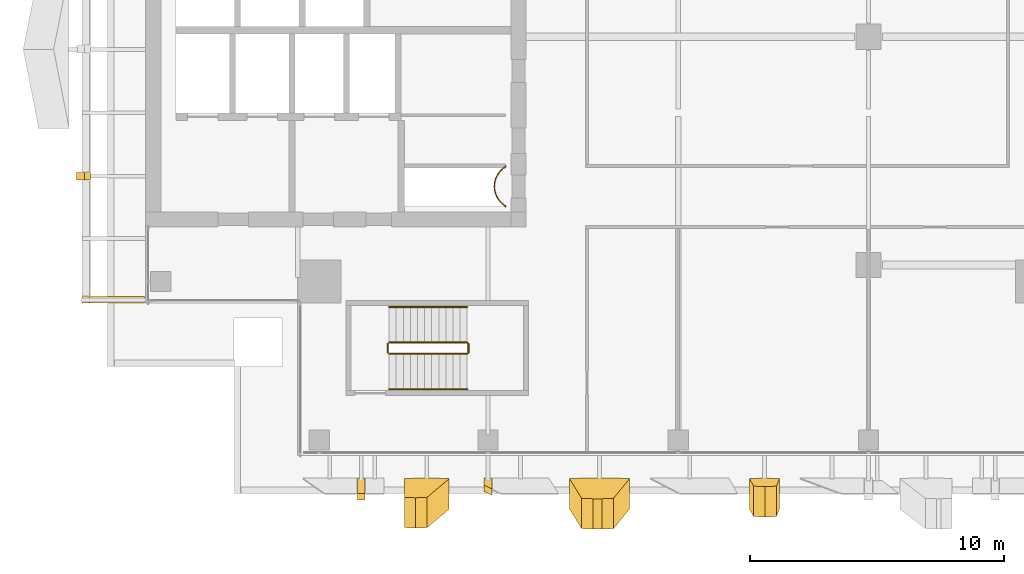
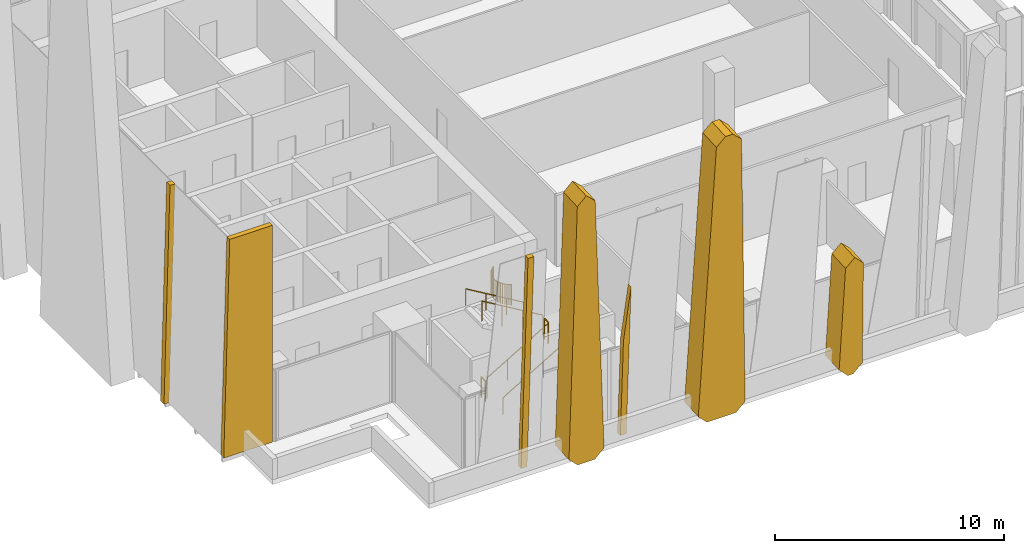
# One storey, part 29 of 32: 7 coverings, 7 railings.
"""IFC4 building model written with IfcOpenShell, lengths in metres."""

import ifcopenshell
import ifcopenshell.guid

model = None  # the IFC model being written
_history = None  # IfcOwnerHistory: only IFC2X3 demands one
_inside = {}  # id of a spatial element -> (the spatial element, [elements in it])
_under = {}  # id of a project, library or spatial element -> (it, [spatial elements below it])
_declared = {}  # id of a project -> (the project, [libraries it declares])
_typed = {}  # id of a type object -> (the type object, [elements of that type])
_made_of = {}  # id of a material, layer set ... -> (it, [elements and type objects made of it])


def new_model(schema):
    """Start an empty IFC model of exactly this schema.

    Asked for "IFC4X3", IfcOpenShell would pick the latest addendum, in which some entities
    have other attributes; the version numbers below select the first issue.
    IFC2X3 requires an IfcOwnerHistory on every rooted entity: one is made here for all.
    """
    global model, _history
    if schema == "IFC4X3":
        model = ifcopenshell.file(schema_version=(4, 3, 0, 0))
    else:
        model = ifcopenshell.file(schema=schema)
    _inside.clear()
    _under.clear()
    _declared.clear()
    _typed.clear()
    _made_of.clear()
    _history = None
    if model.schema == "IFC2X3":
        org = make("IfcOrganization", Name="unknown")
        user = make(
            "IfcPersonAndOrganization",
            ThePerson=make("IfcPerson", FamilyName="unknown"),
            TheOrganization=org,
        )
        app = make(
            "IfcApplication",
            ApplicationDeveloper=org,
            Version="unknown",
            ApplicationFullName="unknown",
            ApplicationIdentifier="unknown",
        )
        _history = make(
            "IfcOwnerHistory",
            OwningUser=user,
            OwningApplication=app,
            ChangeAction="ADDED",
            CreationDate=0,
        )
    return model


def make(cls, **values):
    """One entity of the class cls with the attributes given. An attribute that is None is left unset."""
    return model.create_entity(
        cls, **{name: value for name, value in values.items() if value is not None}
    )


def rooted(cls, **values):
    """An entity with a GlobalId (a new one), such as an element, a storey or a relation."""
    return make(cls, GlobalId=ifcopenshell.guid.new(), OwnerHistory=_history, **values)


def si_unit(unit_type, name, prefix=None):
    """IfcSIUnit, for example si_unit("LENGTHUNIT", "METRE", prefix="MILLI")."""
    return make("IfcSIUnit", UnitType=unit_type, Prefix=prefix, Name=name)


def assignment(units):
    """IfcUnitAssignment: the units of a project."""
    return None if units is None else make("IfcUnitAssignment", Units=units)


def point(xyz):
    """IfcCartesianPoint."""
    return None if xyz is None else make("IfcCartesianPoint", Coordinates=xyz)


def direction(xyz):
    """IfcDirection."""
    return None if xyz is None else make("IfcDirection", DirectionRatios=xyz)


def frame(location, z_axis=None, x_axis=None):
    """IfcAxis2Placement3D, a coordinate frame: its origin and axes. An axis left out is left unset."""
    return make(
        "IfcAxis2Placement3D",
        Location=point(location),
        Axis=direction(z_axis),
        RefDirection=direction(x_axis),
    )


def frame_2d(location, x_axis=None):
    """IfcAxis2Placement2D, a coordinate frame in the plane: its origin and x axis."""
    return make(
        "IfcAxis2Placement2D", Location=point(location), RefDirection=direction(x_axis)
    )


def origin():
    """The frame at (0, 0, 0) with its axes left unset."""
    return frame((0.0, 0.0, 0.0))


def origin_2d():
    """The frame at (0, 0) in the plane with its x axis left unset."""
    return frame_2d((0.0, 0.0))


def place(relative_to, where):
    """IfcLocalPlacement: puts the frame where relative to a parent placement (None: the world)."""
    return make(
        "IfcLocalPlacement", PlacementRelTo=relative_to, RelativePlacement=where
    )


def context(
    kind, dimensions, precision=None, world=None, true_north=None, identifier=None
):
    """IfcGeometricRepresentationContext, for example the 3D "Model" context."""
    return make(
        "IfcGeometricRepresentationContext",
        ContextIdentifier=identifier,
        ContextType=kind,
        CoordinateSpaceDimension=dimensions,
        Precision=precision,
        WorldCoordinateSystem=world,
        TrueNorth=true_north,
    )


def subcontext(parent, identifier, kind, view, scale=None):
    """IfcGeometricRepresentationSubContext, for example "Body" below "Model"."""
    return make(
        "IfcGeometricRepresentationSubContext",
        ContextIdentifier=identifier,
        ContextType=kind,
        ParentContext=parent,
        TargetScale=scale,
        TargetView=view,
    )


def project(units=None, contexts=None):
    """IfcProject with its units and contexts."""
    return rooted(
        "IfcProject",
        Name="project",
        RepresentationContexts=contexts,
        UnitsInContext=assignment(units),
    )


def spatial(cls, under=None, at=None, **own):
    """A site, building, storey or space (cls), placed at a placement, below another one or the project."""
    s = rooted(cls, ObjectPlacement=at, **own)
    if under is not None:
        _under.setdefault(under.id(), (under, []))[1].append(s)
    return s


def polyline(points):
    """IfcPolyline through the points."""
    return make("IfcPolyline", Points=[point(p) for p in points])


def profile(cls, at=None, kind="AREA", **sizes):
    """A parametric profile (cls). Its sizes go by their IFC names, for example OverallWidth=200.0."""
    return make(cls, ProfileType=kind, Position=at, **sizes)


def circle(**sizes):
    """IfcCircleProfileDef."""
    return profile("IfcCircleProfileDef", **sizes)


def outline(outer, holes=None, kind="AREA"):
    """IfcArbitraryClosedProfileDef: a profile drawn as a closed curve; with holes, ...WithVoids."""
    if holes is None:
        return make("IfcArbitraryClosedProfileDef", ProfileType=kind, OuterCurve=outer)
    return make(
        "IfcArbitraryProfileDefWithVoids",
        ProfileType=kind,
        OuterCurve=outer,
        InnerCurves=holes,
    )


def extrude(swept, where, along, depth):
    """IfcExtrudedAreaSolid: the profile swept, set in the frame where, extruded along a direction by depth."""
    return make(
        "IfcExtrudedAreaSolid",
        SweptArea=swept,
        Position=where,
        ExtrudedDirection=direction(along),
        Depth=depth,
    )


def shape(context_of_items, identifier, shape_type, items):
    """IfcShapeRepresentation: the items that make up one representation, for example the "Body"."""
    return make(
        "IfcShapeRepresentation",
        ContextOfItems=context_of_items,
        RepresentationIdentifier=identifier,
        RepresentationType=shape_type,
        Items=items,
    )


def source(mapping_origin, context_of_items, identifier, shape_type, items):
    """IfcRepresentationMap: a shape defined once, which mapped items show again and again."""
    return make(
        "IfcRepresentationMap",
        MappingOrigin=mapping_origin,
        MappedRepresentation=shape(context_of_items, identifier, shape_type, items),
    )


def transform(
    local_origin,
    x_axis=None,
    y_axis=None,
    z_axis=None,
    scale=None,
    scale2=None,
    scale3=None,
    uniform=True,
):
    """IfcCartesianTransformationOperator3D, or its non-uniform kind. x_axis, y_axis, z_axis: its Axis1, 2, 3."""
    if uniform:
        return make(
            "IfcCartesianTransformationOperator3D",
            Axis1=direction(x_axis),
            Axis2=direction(y_axis),
            LocalOrigin=point(local_origin),
            Scale=scale,
            Axis3=direction(z_axis),
        )
    return make(
        "IfcCartesianTransformationOperator3DnonUniform",
        Axis1=direction(x_axis),
        Axis2=direction(y_axis),
        LocalOrigin=point(local_origin),
        Scale=scale,
        Axis3=direction(z_axis),
        Scale2=scale2,
        Scale3=scale3,
    )


def mapped(mapping_source, mapping_target):
    """IfcMappedItem: shows the shape of a source again, moved by a transform."""
    return make(
        "IfcMappedItem", MappingSource=mapping_source, MappingTarget=mapping_target
    )


def material(Name=None, Category=None):
    """IfcMaterial."""
    return make("IfcMaterial", Name=Name, Category=Category)


def layer(
    of_material, thickness, ventilated=None, Name=None, Category=None, Priority=None
):
    """IfcMaterialLayer: one layer of a wall or slab, of a material (None: an air gap)."""
    return make(
        "IfcMaterialLayer",
        Material=of_material,
        LayerThickness=thickness,
        IsVentilated=ventilated,
        Name=Name,
        Category=Category,
        Priority=Priority,
    )


def layer_set(layers, Name=None):
    """IfcMaterialLayerSet."""
    return make("IfcMaterialLayerSet", MaterialLayers=layers, LayerSetName=Name)


def made_of(thing, what):
    """Note that an element or type object is made of a material, layer set ...; save() writes the relation."""
    if what is not None:
        _made_of.setdefault(what.id(), (what, []))[1].append(thing)
    return thing


def type_object(cls, material=None, **own):
    """A type object (cls), such as IfcWallType, which elements share."""
    return made_of(rooted(cls, **own), material)


def element(
    cls,
    number,
    at=None,
    inside=None,
    cuts=None,
    type_object=None,
    material=None,
    context=None,
    identifier="Body",
    shape_type=None,
    held_by="IfcProductDefinitionShape",
    body=None,
    shapes=None,
    **own,
):
    """One element of the class cls, such as IfcWall. Its Tag is "e" and its number.

    at: its placement. inside: the storey or other place that contains it. cuts: it is an
    opening in that element (IfcRelVoidsElement). A single representation is given by context,
    identifier, shape_type and body (its items); several are given by shapes. held_by: the class
    of the entity that holds the representations. save() writes the other relations.
    """
    e = rooted(cls, Tag="e%d" % number, ObjectPlacement=at, **own)
    if body is not None:
        shapes = [shape(context, identifier, shape_type, body)]
    if shapes is not None:
        e.Representation = make(held_by, Representations=shapes)
    if inside is not None:
        _inside.setdefault(inside.id(), (inside, []))[1].append(e)
    if cuts is not None:
        rooted(
            "IfcRelVoidsElement", RelatingBuildingElement=cuts, RelatedOpeningElement=e
        )
    if type_object is not None:
        _typed.setdefault(type_object.id(), (type_object, []))[1].append(e)
    return made_of(e, material)


def aggregate(whole, parts):
    """IfcRelAggregates: a whole, such as a stair, and the parts it consists of."""
    return rooted("IfcRelAggregates", RelatingObject=whole, RelatedObjects=parts)


def save(model, path):
    """Write the relations noted so far, then the file.

    IfcRelAggregates (storeys below a building ...), IfcRelContainedInSpatialStructure (elements
    in a storey), IfcRelDefinesByType, IfcRelAssociatesMaterial and IfcRelDeclares: one each for
    every whole, place, type object, material and project.
    """
    for whole, parts in _under.values():
        aggregate(whole, parts)
    for where, things in _inside.values():
        rooted(
            "IfcRelContainedInSpatialStructure",
            RelatedElements=things,
            RelatingStructure=where,
        )
    for kind, things in _typed.values():
        rooted("IfcRelDefinesByType", RelatedObjects=things, RelatingType=kind)
    for what, things in _made_of.values():
        rooted("IfcRelAssociatesMaterial", RelatedObjects=things, RelatingMaterial=what)
    for by, libraries in _declared.values():
        rooted("IfcRelDeclares", RelatingContext=by, RelatedDefinitions=libraries)
    model.write(path)


model = new_model("IFC4")

# Units and contexts
model_context = context("Model", 3, precision=1e-05, world=origin(), true_north=direction((0.0, 1.0)))
body_context = subcontext(model_context, "Body", "Model", "MODEL_VIEW")
ifc_project = project(units=[si_unit("LENGTHUNIT", "METRE"), si_unit("AREAUNIT", "SQUARE_METRE"), si_unit("VOLUMEUNIT", "CUBIC_METRE"), si_unit("PLANEANGLEUNIT", "RADIAN"), si_unit("MASSUNIT", "GRAM", prefix="KILO")], contexts=[model_context])

# Site, building, storey
site_placement = place(None, origin())
site = spatial("IfcSite", under=ifc_project, at=site_placement, CompositionType="ELEMENT")
building_placement = place(site_placement, origin())
building = spatial("IfcBuilding", under=site, at=building_placement, Name="Khomas Fold Tower", CompositionType="ELEMENT")
storey_placement = place(building_placement, frame((0.0, 0.0, 282.199951171875)))
storey = spatial("IfcBuildingStorey", under=building, at=storey_placement, Name="L63", CompositionType="ELEMENT", Elevation=282.199951171875)

# Coverings
ifc_material_1 = material(Name="Natural stone cladding", Category="masonry")
ifc_layer_1 = layer(ifc_material_1, 0.25)
ifc_layer_set_1 = layer_set([ifc_layer_1], Name="Natural stone cladding")
covering_type_1 = type_object("IfcCoveringType", Name="SK-Karibib marble stone mullion", PredefinedType="CLADDING", material=ifc_layer_set_1)
covering_1_placement = place(storey_placement, frame((14.35009765625, 5.10009765625, 0.0), z_axis=(0.0, 0.99862882819, 0.052349436554), x_axis=(0.0, -0.052349436554, 0.99862882819)))
element("IfcCovering", 1, at=covering_1_placement, inside=storey, type_object=covering_type_1, Name="OUTER SKIN mullion L63 SM099-2", PredefinedType="CLADDING", context=body_context, shape_type="SweptSolid", body=[
    extrude(outline(polyline([(0.0, 0.0), (11.565907674683308, 0.0), (11.565907674683308, 0.2998046875), (0.0, 0.2998046875), (0.0, 0.0)])), origin(), (0.0, 0.0, -1.0), 0.25),
])
covering_2_placement = place(storey_placement, frame((19.35009765625, 5.10009765625, 0.0), z_axis=(-0.000232264072, 0.998628675456, 0.052351834826), x_axis=(-3.095e-09, -0.052351836239, 0.998628702393)))
element("IfcCovering", 2, at=covering_2_placement, inside=storey, type_object=covering_type_1, Name="OUTER SKIN mullion L63 SM100-4", PredefinedType="CLADDING", context=body_context, shape_type="SweptSolid", body=[
    extrude(outline(polyline([(0.0, 0.0), (5.226408888714293, -1.3552527156068805e-20), (8.083102176662566, 0.29980472060037877), (-9.277640172606696e-10, 0.29980467941327826), (0.0, 0.0)])), origin(), (0.0, 0.0, -1.0), 0.25),
])
covering_3_placement = place(storey_placement, frame((3.281982421875, 16.85009765625, 0.006591796875), z_axis=(-0.999657783631, 0.0, 0.026159427089), x_axis=(0.0, 1.0, 0.0)))
element("IfcCovering", 3, at=covering_3_placement, inside=storey, type_object=covering_type_1, Name="OUTER SKIN mullion L63 W2", PredefinedType="CLADDING", context=body_context, shape_type="SweptSolid", body=[
    extrude(outline(polyline([(0.0, 0.0), (0.2998046875, 0.0), (0.2998046875, -11.554002797007572), (0.0, -11.554002797007572), (0.0, 0.0)])), origin(), (0.0, 0.0, -1.0), 0.25),
])
covering_4_placement = place(storey_placement, frame((5.949951171875, 12.0, 11.550048828125), z_axis=(0.0, -1.0, 0.0), x_axis=(-1.0, 0.0, 0.0)))
element("IfcCovering", 4, at=covering_4_placement, inside=storey, type_object=covering_type_1, Name="OUTER SKIN return L63 W1", PredefinedType="CLADDING", context=body_context, shape_type="SweptSolid", body=[
    extrude(outline(polyline([(0.0, 0.0), (2.15576171875, 0.0), (2.458251953125, 11.550048828125), (0.0, 11.550048828125), (0.0, 0.0)])), origin(), (0.0, 0.0, -1.0), 0.25),
])
ifc_material_2 = material(Name="Natural stone cladding", Category="masonry")
ifc_layer_2 = layer(ifc_material_2, 1.199951171875)
ifc_layer_set_2 = layer_set([ifc_layer_2], Name="Natural stone cladding")
covering_type_2 = type_object("IfcCoveringType", Name="SK-Karibib marble stone panel", PredefinedType="CLADDING", material=ifc_layer_set_2)
covering_5_placement = place(storey_placement, frame((16.635986328125, 4.323486328125, 14.817138671875), z_axis=(8.5333081e-05, 0.998629072162, 0.052344712724), x_axis=(0.738815364162, 0.03521255644, -0.672987320495)))
element("IfcCovering", 5, at=covering_5_placement, inside=storey, type_object=covering_type_2, Name="OUTER SKIN leaf L63 SS03-1", PredefinedType="CLADDING", context=body_context, shape_type="SweptSolid", body=[
    extrude(outline(polyline([(0.0, 0.0), (0.6268613197535136, 0.0), (10.661347761643269, 9.7101692479815), (10.652049860467748, 10.366563579755406), (10.009374288566192, 10.952777893339325), (9.37329812504137, 10.92311259012045), (-0.01850414813129375, 0.6267384842449892), (0.0, 0.0)])), origin(), (0.0, 0.0, -1.0), 1.199951171875),
])
covering_6_placement = place(storey_placement, frame((24.453125, 4.3076171875, 15.119384765625), z_axis=(-2.903127e-06, 0.998629314793, 0.052340153105), x_axis=(0.042647589273, 0.052292656507, -0.997720733073)))
element("IfcCovering", 6, at=covering_6_placement, inside=storey, type_object=covering_type_2, Name="OUTER SKIN leaf L63 SS06-2", PredefinedType="CLADDING", context=body_context, shape_type="SweptSolid", body=[
    extrude(outline(polyline([(0.0, 0.0), (14.683613159360076, 0.0), (15.1339028555084, 0.46909345214592524), (15.071430800909827, 1.9326044545952445), (14.587434541112536, 2.36206094142874), (-0.049080993135263734, 1.2644380873663272), (-0.4656435286377189, 0.7965399636835006), (-0.45003592699717565, 0.43090613157157903), (0.0, 0.0)])), origin(), (0.0, 0.0, -1.0), 1.199951171875),
])
covering_7_placement = place(storey_placement, frame((30.422607421875, 4.7626953125, 6.436767578125), z_axis=(4.1934983e-05, 0.998629033775, 0.052345497824), x_axis=(0.712820385557, 0.036682487457, -0.700386673951)))
element("IfcCovering", 7, at=covering_7_placement, inside=storey, type_object=covering_type_2, Name="OUTER SKIN leaf L63 SS09-3", PredefinedType="CLADDING", context=body_context, shape_type="SweptSolid", body=[
    extrude(outline(polyline([(0.0, 0.0), (0.6288290872830717, 5.551115123125783e-17), (4.602178896268006, 3.8684781571573343), (4.6043106596290215, 4.512197993897924), (4.406962437651085, 4.7063696440535), (3.7613041044594215, 4.691353677068093), (-0.014688526862161655, 0.6287129865297555), (0.0, 0.0)])), origin(), (0.0, 0.0, -1.0), 1.199951171875),
])

# Railings
ifc_material_3 = material(Name="Steel balustrade", Category="steel")
railing_type_1 = type_object("IfcRailingType", Name="Stair guard", PredefinedType="GUARDRAIL", material=ifc_material_3)
shared_shape_1 = source(origin(), body_context, "Body", "SweptSolid", [
    extrude(circle(Radius=0.02392578125, at=origin_2d()), frame((0.0, 0.0, 1.076171875), z_axis=(0.0, 1.0, 0.0), x_axis=(-1.0, 0.0, 0.0)), (0.0, 0.0, 1.0), 0.349853515625),
    extrude(circle(Radius=0.02099609375, at=origin_2d()), origin(), (0.0, 0.0, 1.0), 1.052001953125),
    extrude(circle(Radius=0.02099609375, at=origin_2d()), frame((0.0, 0.349853515625, 0.0)), (0.0, 0.0, 1.0), 1.052001953125),
])
for number, where, name in (
    (8, (18.72998046875, 10.050048828125, 2.0), "L63 ST2 stair guard 2"),
    (9, (15.550048828125, 10.050048828125, 0.0), "L63 ST2 stair guard 4"),
):
    element("IfcRailing", number, at=place(storey_placement, frame(where)), inside=storey, type_object=railing_type_1, Name=name, PredefinedType="GUARDRAIL", context=body_context, shape_type="MappedRepresentation", body=[
        mapped(shared_shape_1, transform((0.0, 0.0, 0.0))),
    ])
shared_shape_2 = source(origin(), body_context, "Body", "SweptSolid", [
    extrude(circle(Radius=0.02392578125, at=origin_2d()), frame((0.0, 0.0, 1.076171875), z_axis=(0.859290745958, 0.0, 0.51148745235), x_axis=(0.0, 1.0, 0.0)), (0.0, 0.0, 1.0), 3.584228515625),
    extrude(circle(Radius=0.02099609375, at=origin_2d()), origin(), (0.0, 0.0, 1.0), 1.052001953125),
    extrude(circle(Radius=0.02099609375, at=origin_2d()), frame((1.026611328125, 0.0, 0.611083984375)), (0.0, 0.0, 1.0), 1.052001953125),
    extrude(circle(Radius=0.02099609375, at=origin_2d()), frame((2.05322265625, 0.0, 1.22216796875)), (0.0, 0.0, 1.0), 1.052001953125),
    extrude(circle(Radius=0.02099609375, at=origin_2d()), frame((3.079833984375, 0.0, 1.833251953125)), (0.0, 0.0, 1.0), 1.052001953125),
])
railing_1_placement = place(storey_placement, frame((15.60009765625, 10.0, 0.166748046875)))
element("IfcRailing", 10, at=railing_1_placement, inside=storey, type_object=railing_type_1, Name="L63 ST2 stair guard 1", PredefinedType="GUARDRAIL", context=body_context, shape_type="MappedRepresentation", body=[
    mapped(shared_shape_2, transform((0.0, 0.0, 0.0))),
])
shared_shape_3 = source(origin(), body_context, "Body", "SweptSolid", [
    extrude(circle(Radius=0.02392578125, at=origin_2d()), frame((0.0, 0.0, 1.076171875), z_axis=(-0.859290745958, 0.0, 0.51148745235), x_axis=(0.0, -1.0, 0.0)), (0.0, 0.0, 1.0), 3.584228515625),
    extrude(circle(Radius=0.02099609375, at=origin_2d()), origin(), (0.0, 0.0, 1.0), 1.052001953125),
    extrude(circle(Radius=0.02099609375, at=origin_2d()), frame((-1.026611328125, 0.0, 0.611083984375)), (0.0, 0.0, 1.0), 1.052001953125),
    extrude(circle(Radius=0.02099609375, at=origin_2d()), frame((-2.05322265625, 0.0, 1.22216796875)), (0.0, 0.0, 1.0), 1.052001953125),
    extrude(circle(Radius=0.02099609375, at=origin_2d()), frame((-3.079833984375, 0.0, 1.833251953125)), (0.0, 0.0, 1.0), 1.052001953125),
])
railing_2_placement = place(storey_placement, frame((18.679931640625, 10.449951171875, 2.166748046875)))
element("IfcRailing", 11, at=railing_2_placement, inside=storey, type_object=railing_type_1, Name="L63 ST2 stair guard 3", PredefinedType="GUARDRAIL", context=body_context, shape_type="MappedRepresentation", body=[
    mapped(shared_shape_3, transform((0.0, 0.0, 0.0))),
])
ifc_material_4 = material(Name="Steel handrail", Category="steel")
railing_type_2 = type_object("IfcRailingType", Name="Stair handrail", PredefinedType="HANDRAIL", material=ifc_material_4)
shared_shape_4 = source(origin(), body_context, "Body", "SweptSolid", [
    extrude(circle(Radius=0.02392578125, at=origin_2d()), frame((0.0, 0.0, 0.8759765625), z_axis=(0.859290745958, 0.0, 0.51148745235), x_axis=(0.0, 1.0, 0.0)), (0.0, 0.0, 1.0), 3.584228515625),
    extrude(circle(Radius=0.02099609375, at=origin_2d()), origin(), (0.0, 0.0, 1.0), 0.851806640625),
    extrude(circle(Radius=0.02099609375, at=origin_2d()), frame((1.026611328125, 0.0, 0.611083984375)), (0.0, 0.0, 1.0), 0.851806640625),
    extrude(circle(Radius=0.02099609375, at=origin_2d()), frame((2.05322265625, 0.0, 1.22216796875)), (0.0, 0.0, 1.0), 0.851806640625),
    extrude(circle(Radius=0.02099609375, at=origin_2d()), frame((3.079833984375, 0.0, 1.833251953125)), (0.0, 0.0, 1.0), 0.851806640625),
])
railing_3_placement = place(storey_placement, frame((15.60009765625, 8.60009765625, 0.166748046875)))
element("IfcRailing", 12, at=railing_3_placement, inside=storey, type_object=railing_type_2, Name="L63 ST2 stair handrail 1", PredefinedType="HANDRAIL", context=body_context, shape_type="MappedRepresentation", body=[
    mapped(shared_shape_4, transform((0.0, 0.0, 0.0))),
])
shared_shape_5 = source(origin(), body_context, "Body", "SweptSolid", [
    extrude(circle(Radius=0.02392578125, at=origin_2d()), frame((0.0, 0.0, 0.8759765625), z_axis=(-0.859290745958, 0.0, 0.51148745235), x_axis=(0.0, -1.0, 0.0)), (0.0, 0.0, 1.0), 3.584228515625),
    extrude(circle(Radius=0.02099609375, at=origin_2d()), origin(), (0.0, 0.0, 1.0), 0.851806640625),
    extrude(circle(Radius=0.02099609375, at=origin_2d()), frame((-1.026611328125, 0.0, 0.611083984375)), (0.0, 0.0, 1.0), 0.851806640625),
    extrude(circle(Radius=0.02099609375, at=origin_2d()), frame((-2.05322265625, 0.0, 1.22216796875)), (0.0, 0.0, 1.0), 0.851806640625),
    extrude(circle(Radius=0.02099609375, at=origin_2d()), frame((-3.079833984375, 0.0, 1.833251953125)), (0.0, 0.0, 1.0), 0.851806640625),
])
railing_4_placement = place(storey_placement, frame((18.679931640625, 11.85009765625, 2.166748046875)))
element("IfcRailing", 13, at=railing_4_placement, inside=storey, type_object=railing_type_2, Name="L63 ST2 stair handrail 2", PredefinedType="HANDRAIL", context=body_context, shape_type="MappedRepresentation", body=[
    mapped(shared_shape_5, transform((0.0, 0.0, 0.0))),
])
ifc_material_5 = material(Name="Steel balustrade", Category="steel")
railing_type_3 = type_object("IfcRailingType", Name="Shaft guard", PredefinedType="GUARDRAIL", material=ifc_material_5)
shared_shape_6 = source(origin(), body_context, "Body", "SweptSolid", [
    extrude(circle(Radius=0.02490234375, at=origin_2d()), frame((0.0, 0.0, 1.0751953125), z_axis=(1.0, 0.0, 0.0), x_axis=(0.0, 1.0, 0.0)), (0.0, 0.0, 1.0), 0.02197265625),
    extrude(circle(Radius=0.02490234375, at=origin_2d()), frame((0.02197265625, 0.0, 1.0751953125), z_axis=(0.0, -1.0, 0.0), x_axis=(1.0, 0.0, 0.0)), (0.0, 0.0, 1.0), 0.021484375),
    extrude(circle(Radius=0.02490234375, at=origin_2d()), frame((0.02197265625, -0.021484375, 1.0751953125), z_axis=(-0.857492925713, -0.514495755428, 0.0), x_axis=(0.514495755428, -0.857492925713, 0.0)), (0.0, 0.0, 1.0), 0.058349609375),
    extrude(circle(Radius=0.02490234375, at=origin_2d()), frame((-0.028076171875, -0.051513671875, 1.0751953125), z_axis=(-0.801986734315, -0.597341843489, 0.0), x_axis=(0.597341843489, -0.801986734315, 0.0)), (0.0, 0.0, 1.0), 0.08837890625),
    extrude(circle(Radius=0.02490234375, at=origin_2d()), frame((-0.098876953125, -0.104248046875, 1.0751953125), z_axis=(-0.740814996175, -0.671709119666, 0.0), x_axis=(0.671709119666, -0.740814996175, 0.0)), (0.0, 0.0, 1.0), 0.08837890625),
    extrude(circle(Radius=0.02490234375, at=origin_2d()), frame((-0.164306640625, -0.16357421875, 1.0751953125), z_axis=(-0.671709119666, -0.740814996175, 0.0), x_axis=(0.740814996175, -0.671709119666, 0.0)), (0.0, 0.0, 1.0), 0.08837890625),
    extrude(circle(Radius=0.02490234375, at=origin_2d()), frame((-0.2236328125, -0.22900390625, 1.0751953125), z_axis=(-0.597341843489, -0.801986734315, 0.0), x_axis=(0.801986734315, -0.597341843489, 0.0)), (0.0, 0.0, 1.0), 0.08837890625),
    extrude(circle(Radius=0.02490234375, at=origin_2d()), frame((-0.2763671875, -0.2998046875, 1.0751953125), z_axis=(-0.514495755428, -0.857492925713, 0.0), x_axis=(0.857492925713, -0.514495755428, 0.0)), (0.0, 0.0, 1.0), 0.08837890625),
    extrude(circle(Radius=0.02490234375, at=origin_2d()), frame((-0.32177734375, -0.37548828125, 1.0751953125), z_axis=(-0.424999439989, -0.905193612444, 0.0), x_axis=(0.905193612444, -0.424999439989, 0.0)), (0.0, 0.0, 1.0), 0.08837890625),
    extrude(circle(Radius=0.02490234375, at=origin_2d()), frame((-0.359375, -0.45556640625, 1.0751953125), z_axis=(-0.337738989679, -0.941239807302, 0.0), x_axis=(0.941239807302, -0.337738989679, 0.0)), (0.0, 0.0, 1.0), 0.088134765625),
    extrude(circle(Radius=0.02490234375, at=origin_2d()), frame((-0.38916015625, -0.53857421875, 1.0751953125), z_axis=(-0.243185799972, -0.969979724887, 0.0), x_axis=(0.969979724887, -0.243185799972, 0.0)), (0.0, 0.0, 1.0), 0.08837890625),
    extrude(circle(Radius=0.02490234375, at=origin_2d()), frame((-0.41064453125, -0.624267578125, 1.0751953125), z_axis=(-0.146448518259, -0.989218293148, 0.0), x_axis=(0.989218293148, -0.146448518259, 0.0)), (0.0, 0.0, 1.0), 0.08837890625),
    extrude(circle(Radius=0.02490234375, at=origin_2d()), frame((-0.423583984375, -0.711669921875, 1.0751953125), z_axis=(-0.049799629132, -0.998759228712, 0.0), x_axis=(0.998759228712, -0.049799629132, 0.0)), (0.0, 0.0, 1.0), 0.088134765625),
    extrude(circle(Radius=0.02490234375, at=origin_2d()), frame((-0.427978515625, -0.7998046875, 1.0751953125), z_axis=(0.049662400856, -0.998766061669, 0.0), x_axis=(0.998766061669, 0.049662400856, 0.0)), (0.0, 0.0, 1.0), 0.08837890625),
    extrude(circle(Radius=0.02490234375, at=origin_2d()), frame((-0.423583984375, -0.88818359375, 1.0751953125), z_axis=(0.146448518259, -0.989218293148, 0.0), x_axis=(0.989218293148, 0.146448518259, 0.0)), (0.0, 0.0, 1.0), 0.08837890625),
    extrude(circle(Radius=0.02490234375, at=origin_2d()), frame((-0.41064453125, -0.9755859375, 1.0751953125), z_axis=(0.243185799972, -0.969979724887, 0.0), x_axis=(0.969979724887, 0.243185799972, 0.0)), (0.0, 0.0, 1.0), 0.08837890625),
    extrude(circle(Radius=0.02490234375, at=origin_2d()), frame((-0.38916015625, -1.061279296875, 1.0751953125), z_axis=(0.337738989679, -0.941239807302, 0.0), x_axis=(0.941239807302, 0.337738989679, 0.0)), (0.0, 0.0, 1.0), 0.088134765625),
    extrude(circle(Radius=0.02490234375, at=origin_2d()), frame((-0.359375, -1.144287109375, 1.0751953125), z_axis=(0.426063493689, -0.904693262573, 0.0), x_axis=(0.904693262573, 0.426063493689, 0.0)), (0.0, 0.0, 1.0), 0.088134765625),
    extrude(circle(Radius=0.02490234375, at=origin_2d()), frame((-0.32177734375, -1.22412109375, 1.0751953125), z_axis=(0.514495755428, -0.857492925713, 0.0), x_axis=(0.857492925713, 0.514495755428, 0.0)), (0.0, 0.0, 1.0), 0.08837890625),
    extrude(circle(Radius=0.02490234375, at=origin_2d()), frame((-0.2763671875, -1.2998046875, 1.0751953125), z_axis=(0.596019138224, -0.802970227885, 0.0), x_axis=(0.802970227885, 0.596019138224, 0.0)), (0.0, 0.0, 1.0), 0.08837890625),
    extrude(circle(Radius=0.02490234375, at=origin_2d()), frame((-0.2236328125, -1.370849609375, 1.0751953125), z_axis=(0.671709119666, -0.740814996175, 0.0), x_axis=(0.740814996175, 0.671709119666, 0.0)), (0.0, 0.0, 1.0), 0.08837890625),
    extrude(circle(Radius=0.02490234375, at=origin_2d()), frame((-0.164306640625, -1.436279296875, 1.0751953125), z_axis=(0.740814996175, -0.671709119666, 0.0), x_axis=(0.671709119666, 0.740814996175, 0.0)), (0.0, 0.0, 1.0), 0.08837890625),
    extrude(circle(Radius=0.02490234375, at=origin_2d()), frame((-0.098876953125, -1.49560546875, 1.0751953125), z_axis=(0.803311771616, -0.595558727233, 0.0), x_axis=(0.595558727233, 0.803311771616, 0.0)), (0.0, 0.0, 1.0), 0.088134765625),
    extrude(circle(Radius=0.02490234375, at=origin_2d()), frame((-0.028076171875, -1.548095703125, 1.0751953125), z_axis=(0.857492925713, -0.514495755428, 0.0), x_axis=(0.514495755428, 0.857492925713, 0.0)), (0.0, 0.0, 1.0), 0.058349609375),
    extrude(circle(Radius=0.02490234375, at=origin_2d()), frame((0.02197265625, -1.578125, 1.0751953125), z_axis=(0.0, -1.0, 0.0), x_axis=(1.0, 0.0, 0.0)), (0.0, 0.0, 1.0), 0.021728515625),
    extrude(circle(Radius=0.02490234375, at=origin_2d()), frame((0.02197265625, -1.599853515625, 1.0751953125), z_axis=(-1.0, 0.0, 0.0), x_axis=(0.0, -1.0, 0.0)), (0.0, 0.0, 1.0), 0.02197265625),
    extrude(circle(Radius=0.02001953125, at=origin_2d()), origin(), (0.0, 0.0, 1.0), 1.050048828125),
    extrude(circle(Radius=0.02001953125, at=origin_2d()), frame((0.02197265625, 0.0, 0.0)), (0.0, 0.0, 1.0), 1.050048828125),
    extrude(circle(Radius=0.02001953125, at=origin_2d()), frame((0.02197265625, -0.021484375, 0.0)), (0.0, 0.0, 1.0), 1.050048828125),
    extrude(circle(Radius=0.02001953125, at=origin_2d()), frame((-0.028076171875, -0.051513671875, 0.0)), (0.0, 0.0, 1.0), 1.050048828125),
    extrude(circle(Radius=0.02001953125, at=origin_2d()), frame((-0.098876953125, -0.104248046875, 0.0)), (0.0, 0.0, 1.0), 1.050048828125),
    extrude(circle(Radius=0.02001953125, at=origin_2d()), frame((-0.164306640625, -0.16357421875, 0.0)), (0.0, 0.0, 1.0), 1.050048828125),
    extrude(circle(Radius=0.02001953125, at=origin_2d()), frame((-0.2236328125, -0.22900390625, 0.0)), (0.0, 0.0, 1.0), 1.050048828125),
    extrude(circle(Radius=0.02001953125, at=origin_2d()), frame((-0.2763671875, -0.2998046875, 0.0)), (0.0, 0.0, 1.0), 1.050048828125),
    extrude(circle(Radius=0.02001953125, at=origin_2d()), frame((-0.32177734375, -0.37548828125, 0.0)), (0.0, 0.0, 1.0), 1.050048828125),
    extrude(circle(Radius=0.02001953125, at=origin_2d()), frame((-0.359375, -0.45556640625, 0.0)), (0.0, 0.0, 1.0), 1.050048828125),
    extrude(circle(Radius=0.02001953125, at=origin_2d()), frame((-0.38916015625, -0.53857421875, 0.0)), (0.0, 0.0, 1.0), 1.050048828125),
    extrude(circle(Radius=0.02001953125, at=origin_2d()), frame((-0.41064453125, -0.624267578125, 0.0)), (0.0, 0.0, 1.0), 1.050048828125),
    extrude(circle(Radius=0.02001953125, at=origin_2d()), frame((-0.423583984375, -0.711669921875, 0.0)), (0.0, 0.0, 1.0), 1.050048828125),
    extrude(circle(Radius=0.02001953125, at=origin_2d()), frame((-0.427978515625, -0.7998046875, 0.0)), (0.0, 0.0, 1.0), 1.050048828125),
    extrude(circle(Radius=0.02001953125, at=origin_2d()), frame((-0.423583984375, -0.88818359375, 0.0)), (0.0, 0.0, 1.0), 1.050048828125),
    extrude(circle(Radius=0.02001953125, at=origin_2d()), frame((-0.41064453125, -0.9755859375, 0.0)), (0.0, 0.0, 1.0), 1.050048828125),
    extrude(circle(Radius=0.02001953125, at=origin_2d()), frame((-0.38916015625, -1.061279296875, 0.0)), (0.0, 0.0, 1.0), 1.050048828125),
    extrude(circle(Radius=0.02001953125, at=origin_2d()), frame((-0.359375, -1.144287109375, 0.0)), (0.0, 0.0, 1.0), 1.050048828125),
    extrude(circle(Radius=0.02001953125, at=origin_2d()), frame((-0.32177734375, -1.22412109375, 0.0)), (0.0, 0.0, 1.0), 1.050048828125),
    extrude(circle(Radius=0.02001953125, at=origin_2d()), frame((-0.2763671875, -1.2998046875, 0.0)), (0.0, 0.0, 1.0), 1.050048828125),
    extrude(circle(Radius=0.02001953125, at=origin_2d()), frame((-0.2236328125, -1.370849609375, 0.0)), (0.0, 0.0, 1.0), 1.050048828125),
    extrude(circle(Radius=0.02001953125, at=origin_2d()), frame((-0.164306640625, -1.436279296875, 0.0)), (0.0, 0.0, 1.0), 1.050048828125),
    extrude(circle(Radius=0.02001953125, at=origin_2d()), frame((-0.098876953125, -1.49560546875, 0.0)), (0.0, 0.0, 1.0), 1.050048828125),
    extrude(circle(Radius=0.02001953125, at=origin_2d()), frame((-0.028076171875, -1.548095703125, 0.0)), (0.0, 0.0, 1.0), 1.050048828125),
    extrude(circle(Radius=0.02001953125, at=origin_2d()), frame((0.02197265625, -1.578125, 0.0)), (0.0, 0.0, 1.0), 1.050048828125),
    extrude(circle(Radius=0.02001953125, at=origin_2d()), frame((0.02197265625, -1.599853515625, 0.0)), (0.0, 0.0, 1.0), 1.050048828125),
    extrude(circle(Radius=0.02001953125, at=origin_2d()), frame((0.0, -1.599853515625, 0.0)), (0.0, 0.0, 1.0), 1.050048828125),
])
railing_5_placement = place(storey_placement, frame((20.177978515625, 17.39990234375, 0.0)))
element("IfcRailing", 14, at=railing_5_placement, inside=storey, type_object=railing_type_3, Name="Shaft guard L63 1", PredefinedType="GUARDRAIL", context=body_context, shape_type="MappedRepresentation", body=[
    mapped(shared_shape_6, transform((0.0, 0.0, 0.0))),
])

save(model, "model.ifc")
